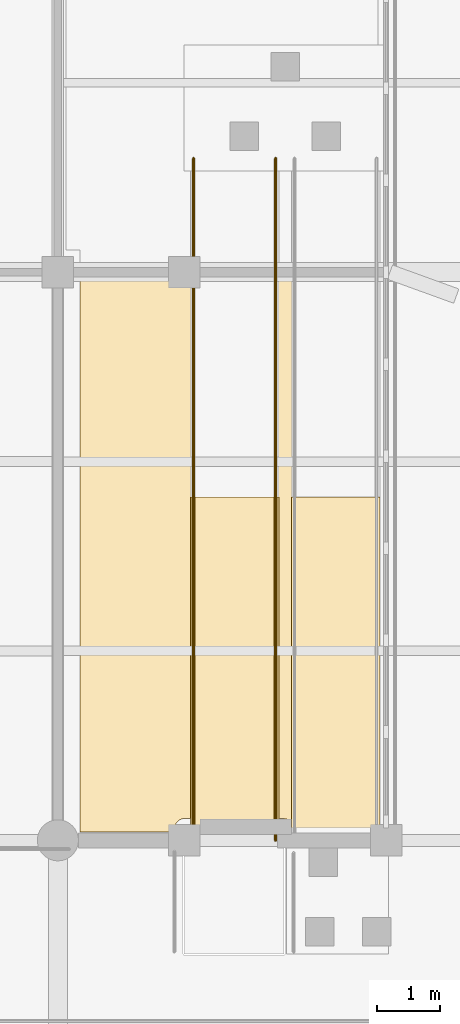
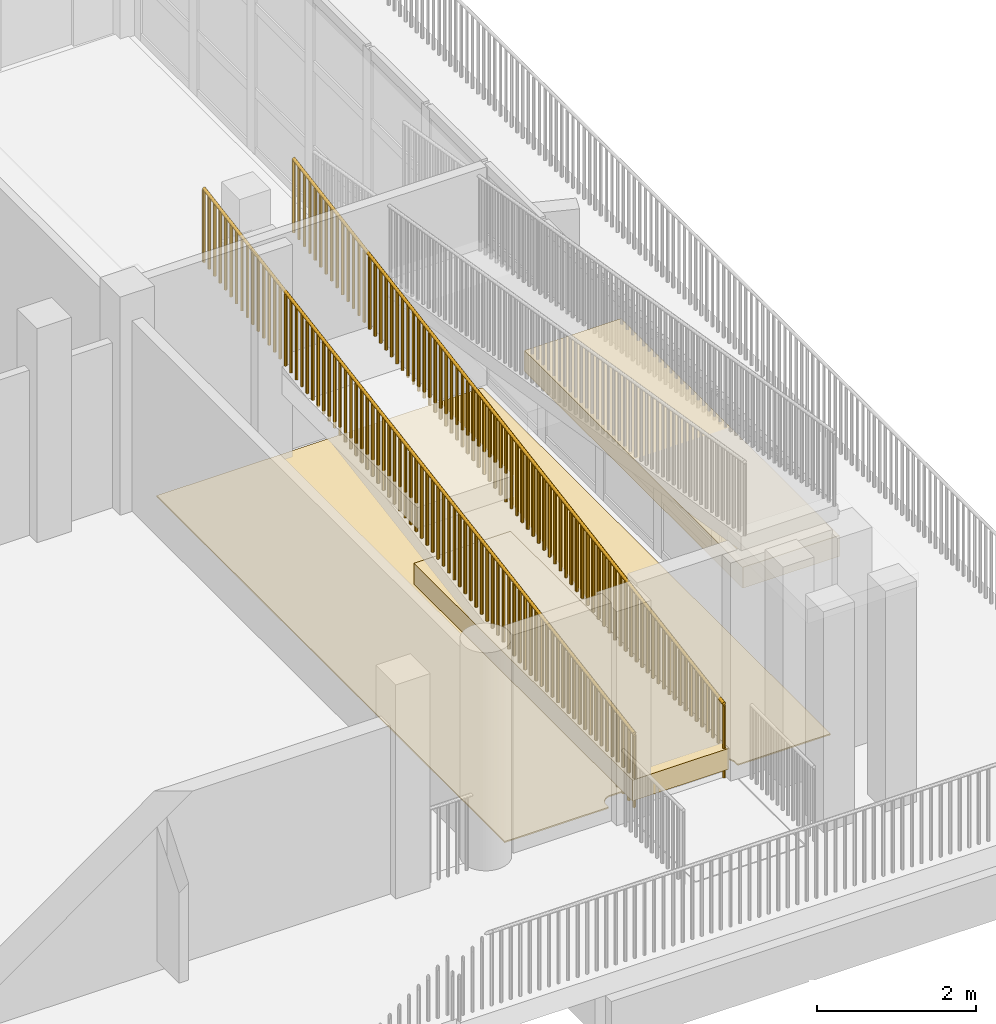
# One storey, part 44 of 51: 3 coverings, 2 railings.
"""IFC4 building model written with IfcOpenShell, lengths in metres."""

from ifc_helpers import new_model, si_unit, direction, frame, origin, origin_2d, place, context, subcontext, project, spatial, polyline, rectangle, circle, outline, extrude, material, layer, layer_set, type_object, element, save


model = new_model("IFC4")

# Units and contexts
model_context = context("Model", 3, precision=1e-05, world=origin(), true_north=direction((0.0, 1.0)))
body_context = subcontext(model_context, "Body", "Model", "MODEL_VIEW")
ifc_project = project(units=[si_unit("LENGTHUNIT", "METRE"), si_unit("AREAUNIT", "SQUARE_METRE"), si_unit("VOLUMEUNIT", "CUBIC_METRE"), si_unit("PLANEANGLEUNIT", "RADIAN"), si_unit("MASSUNIT", "GRAM", prefix="KILO")], contexts=[model_context])

# Site, building, storey
site_placement = place(None, origin())
site = spatial("IfcSite", under=ifc_project, at=site_placement, CompositionType="ELEMENT")
building_placement = place(site_placement, origin())
building = spatial("IfcBuilding", under=site, at=building_placement, Name="Vanh Quang Courtyard School", CompositionType="ELEMENT")
storey_placement = place(building_placement, frame((0.0, 0.0, 11.39990234375)))
storey = spatial("IfcBuildingStorey", under=building, at=storey_placement, Name="L03", CompositionType="ELEMENT", Elevation=11.39990234375)

# Coverings
ifc_material_1 = material(Name="Polished cementitious terrazzo tile", Category="concrete")
ifc_layer_1 = layer(ifc_material_1, 0.02001953125)
ifc_layer_set_1 = layer_set([ifc_layer_1], Name="Polished cementitious terrazzo tile")
covering_type_1 = type_object("IfcCoveringType", Name="COV-FLR-TERRAZZO", PredefinedType="FLOORING", material=ifc_layer_set_1)
covering_placement = place(storey_placement, origin())
element("IfcCovering", 1, at=covering_placement, inside=storey, type_object=covering_type_1, Name="Covering CV-FL1 (L03)", PredefinedType="FLOORING", context=body_context, shape_type="SweptSolid", body=[
    extrude(outline(polyline([(111.35009765625, 32.530029296875), (111.35009765625, 41.27001953125), (116.06005859375, 41.27001953125), (116.06103515625, 41.27001953125), (116.06201171875, 41.269775390625), (116.06298828125, 41.26953125), (116.063720703125, 41.269287109375), (116.064697265625, 41.268798828125), (116.065673828125, 41.268310546875), (116.06640625, 41.267578125), (116.067138671875, 41.26708984375), (116.067626953125, 41.266357421875), (116.068359375, 41.265625), (116.06884765625, 41.2646484375), (116.069091796875, 41.263916015625), (116.069580078125, 41.262939453125), (116.06982421875, 41.261962890625), (116.070068359375, 41.260986328125), (116.070068359375, 41.260009765625), (116.070068359375, 32.5400390625), (116.070068359375, 32.5390625), (116.06982421875, 32.5380859375), (116.069580078125, 32.537109375), (116.069091796875, 32.5361328125), (116.06884765625, 32.535400390625), (116.068359375, 32.534423828125), (116.067626953125, 32.53369140625), (116.067138671875, 32.532958984375), (116.06640625, 32.5322265625), (116.065673828125, 32.53173828125), (116.064697265625, 32.53125), (116.063720703125, 32.53076171875), (116.06298828125, 32.530517578125), (116.06201171875, 32.5302734375), (116.06103515625, 32.530029296875), (116.06005859375, 32.530029296875), (114.735107421875, 32.530029296875), (114.73388671875, 32.530029296875), (114.733154296875, 32.5302734375), (114.732177734375, 32.530517578125), (114.731201171875, 32.53076171875), (114.730224609375, 32.531005859375), (114.7294921875, 32.531494140625), (114.728759765625, 32.5322265625), (114.72802734375, 32.532958984375), (114.727294921875, 32.53369140625), (114.726806640625, 32.5341796875), (114.726318359375, 32.53515625), (114.725830078125, 32.535888671875), (114.7255859375, 32.536865234375), (114.72509765625, 32.537841796875), (114.72509765625, 32.538818359375), (114.72509765625, 32.539794921875), (114.72314453125, 32.621337890625), (114.696533203125, 32.685546875), (114.642333984375, 32.730712890625), (114.578857421875, 32.7451171875), (112.979736328125, 32.743408203125), (112.92529296875, 32.723876953125), (112.8759765625, 32.6748046875), (112.856689453125, 32.62158203125), (112.85498046875, 32.539794921875), (112.85498046875, 32.538818359375), (112.854736328125, 32.537841796875), (112.8544921875, 32.536865234375), (112.854248046875, 32.535888671875), (112.853759765625, 32.53515625), (112.853271484375, 32.5341796875), (112.852783203125, 32.53369140625), (112.85205078125, 32.532958984375), (112.851318359375, 32.5322265625), (112.8505859375, 32.531494140625), (112.849609375, 32.531005859375), (112.848876953125, 32.53076171875), (112.847900390625, 32.530517578125), (112.846923828125, 32.5302734375), (112.845947265625, 32.530029296875), (112.844970703125, 32.530029296875), (111.35009765625, 32.530029296875)])), origin(), (0.0, 0.0, 1.0), 0.02001953125),
])
ifc_material_2 = material(Name="Board-marked precast concrete C40/50", Category="concrete")
ifc_layer_2 = layer(ifc_material_2, 0.239990234375)
ifc_layer_set_2 = layer_set([ifc_layer_2], Name="Board-marked precast concrete C40/50")
covering_type_2 = type_object("IfcCoveringType", Name="COV-HOOD-CONC", PredefinedType="CLADDING", material=ifc_layer_set_2)
for number, where, z_axis, x_axis, name in (
    (2, (113.800048828125, 35.10009765625, 0.1298828125), (0.0, 0.0, 1.0), (1.0, 0.0, 0.0), "Covering CH-01 (L03)"),
    (3, (115.39990234375, 35.10009765625, 2.830078125), (0.0, 0.0, 1.0), (1.0, 0.0, 0.0), "Covering CH-01 (L03)"),
):
    element("IfcCovering", number, at=place(storey_placement, frame(where, z_axis=z_axis, x_axis=x_axis)), inside=storey, type_object=covering_type_2, Name=name, PredefinedType="CLADDING", context=body_context, shape_type="SweptSolid", body=[
        extrude(rectangle(XDim=1.39990234375, YDim=5.47998046875, at=origin_2d()), origin(), (0.0, 0.0, 1.0), 0.320068359375),
    ])

# Railings
ifc_material_3 = material(Name="Galvanised painted steel EN 10025-2 S355J2", Category="steel")
railing_type = type_object("IfcRailingType", Name="RAIL-GUARD-1150", PredefinedType="BALUSTRADE", material=ifc_material_3)
railing_1_placement = place(storey_placement, frame((113.14990234375, 32.39990234375, 0.0)))
element("IfcRailing", 4, at=railing_1_placement, inside=storey, type_object=railing_type, Name="Railing GR-01 (L03)", PredefinedType="BALUSTRADE", context=body_context, shape_type="SweptSolid", body=[
    extrude(circle(Radius=0.02392578125, at=origin_2d()), frame((0.0, 0.0, 1.1259765625), z_axis=(0.0, 0.986393321179, 0.164402603184), x_axis=(-1.0, 0.0, 0.0)), (0.0, 0.0, 1.0), 10.948974609375),
    extrude(circle(Radius=0.02099609375, at=origin_2d()), origin(), (0.0, 0.0, 1.0), 1.101806640625),
    extrude(circle(Radius=0.02099609375, at=origin_2d()), frame((0.0, 0.13671875, 0.022705078125)), (0.0, 0.0, 1.0), 1.101806640625),
    extrude(circle(Radius=0.02099609375, at=origin_2d()), frame((0.0, 0.2734375, 0.045654296875)), (0.0, 0.0, 1.0), 1.101806640625),
    extrude(circle(Radius=0.02099609375, at=origin_2d()), frame((0.0, 0.41015625, 0.068359375)), (0.0, 0.0, 1.0), 1.101806640625),
    extrude(circle(Radius=0.02099609375, at=origin_2d()), frame((0.0, 0.546875, 0.091064453125)), (0.0, 0.0, 1.0), 1.101806640625),
    extrude(circle(Radius=0.02099609375, at=origin_2d()), frame((0.0, 0.68359375, 0.114013671875)), (0.0, 0.0, 1.0), 1.101806640625),
    extrude(circle(Radius=0.02099609375, at=origin_2d()), frame((0.0, 0.8203125, 0.13671875)), (0.0, 0.0, 1.0), 1.101806640625),
    extrude(circle(Radius=0.02099609375, at=origin_2d()), frame((0.0, 0.95703125, 0.159423828125)), (0.0, 0.0, 1.0), 1.101806640625),
    extrude(circle(Radius=0.02099609375, at=origin_2d()), frame((0.0, 1.09375, 0.182373046875)), (0.0, 0.0, 1.0), 1.101806640625),
    extrude(circle(Radius=0.02099609375, at=origin_2d()), frame((0.0, 1.23046875, 0.205078125)), (0.0, 0.0, 1.0), 1.101806640625),
    extrude(circle(Radius=0.02099609375, at=origin_2d()), frame((0.0, 1.3671875, 0.227783203125)), (0.0, 0.0, 1.0), 1.101806640625),
    extrude(circle(Radius=0.02099609375, at=origin_2d()), frame((0.0, 1.50390625, 0.250732421875)), (0.0, 0.0, 1.0), 1.101806640625),
    extrude(circle(Radius=0.02099609375, at=origin_2d()), frame((0.0, 1.640625, 0.2734375)), (0.0, 0.0, 1.0), 1.101806640625),
    extrude(circle(Radius=0.02099609375, at=origin_2d()), frame((0.0, 1.77734375, 0.296142578125)), (0.0, 0.0, 1.0), 1.101806640625),
    extrude(circle(Radius=0.02099609375, at=origin_2d()), frame((0.0, 1.913818359375, 0.319091796875)), (0.0, 0.0, 1.0), 1.101806640625),
    extrude(circle(Radius=0.02099609375, at=origin_2d()), frame((0.0, 2.050537109375, 0.341796875)), (0.0, 0.0, 1.0), 1.101806640625),
    extrude(circle(Radius=0.02099609375, at=origin_2d()), frame((0.0, 2.187255859375, 0.364501953125)), (0.0, 0.0, 1.0), 1.101806640625),
    extrude(circle(Radius=0.02099609375, at=origin_2d()), frame((0.0, 2.323974609375, 0.387451171875)), (0.0, 0.0, 1.0), 1.101806640625),
    extrude(circle(Radius=0.02099609375, at=origin_2d()), frame((0.0, 2.460693359375, 0.41015625)), (0.0, 0.0, 1.0), 1.101806640625),
    extrude(circle(Radius=0.02099609375, at=origin_2d()), frame((0.0, 2.597412109375, 0.432861328125)), (0.0, 0.0, 1.0), 1.101806640625),
    extrude(circle(Radius=0.02099609375, at=origin_2d()), frame((0.0, 2.734130859375, 0.455810546875)), (0.0, 0.0, 1.0), 1.101806640625),
    extrude(circle(Radius=0.02099609375, at=origin_2d()), frame((0.0, 2.870849609375, 0.478515625)), (0.0, 0.0, 1.0), 1.101806640625),
    extrude(circle(Radius=0.02099609375, at=origin_2d()), frame((0.0, 3.007568359375, 0.501220703125)), (0.0, 0.0, 1.0), 1.101806640625),
    extrude(circle(Radius=0.02099609375, at=origin_2d()), frame((0.0, 3.144287109375, 0.524169921875)), (0.0, 0.0, 1.0), 1.101806640625),
    extrude(circle(Radius=0.02099609375, at=origin_2d()), frame((0.0, 3.281005859375, 0.546875)), (0.0, 0.0, 1.0), 1.101806640625),
    extrude(circle(Radius=0.02099609375, at=origin_2d()), frame((0.0, 3.417724609375, 0.569580078125)), (0.0, 0.0, 1.0), 1.101806640625),
    extrude(circle(Radius=0.02099609375, at=origin_2d()), frame((0.0, 3.554443359375, 0.592529296875)), (0.0, 0.0, 1.0), 1.101806640625),
    extrude(circle(Radius=0.02099609375, at=origin_2d()), frame((0.0, 3.691162109375, 0.615234375)), (0.0, 0.0, 1.0), 1.101806640625),
    extrude(circle(Radius=0.02099609375, at=origin_2d()), frame((0.0, 3.827880859375, 0.637939453125)), (0.0, 0.0, 1.0), 1.101806640625),
    extrude(circle(Radius=0.02099609375, at=origin_2d()), frame((0.0, 3.964599609375, 0.660888671875)), (0.0, 0.0, 1.0), 1.101806640625),
    extrude(circle(Radius=0.02099609375, at=origin_2d()), frame((0.0, 4.101318359375, 0.68359375)), (0.0, 0.0, 1.0), 1.101806640625),
    extrude(circle(Radius=0.02099609375, at=origin_2d()), frame((0.0, 4.238037109375, 0.706298828125)), (0.0, 0.0, 1.0), 1.101806640625),
    extrude(circle(Radius=0.02099609375, at=origin_2d()), frame((0.0, 4.374755859375, 0.729248046875)), (0.0, 0.0, 1.0), 1.101806640625),
    extrude(circle(Radius=0.02099609375, at=origin_2d()), frame((0.0, 4.511474609375, 0.751953125)), (0.0, 0.0, 1.0), 1.101806640625),
    extrude(circle(Radius=0.02099609375, at=origin_2d()), frame((0.0, 4.648193359375, 0.774658203125)), (0.0, 0.0, 1.0), 1.101806640625),
    extrude(circle(Radius=0.02099609375, at=origin_2d()), frame((0.0, 4.784912109375, 0.797607421875)), (0.0, 0.0, 1.0), 1.101806640625),
    extrude(circle(Radius=0.02099609375, at=origin_2d()), frame((0.0, 4.921630859375, 0.8203125)), (0.0, 0.0, 1.0), 1.101806640625),
    extrude(circle(Radius=0.02099609375, at=origin_2d()), frame((0.0, 5.058349609375, 0.843017578125)), (0.0, 0.0, 1.0), 1.101806640625),
    extrude(circle(Radius=0.02099609375, at=origin_2d()), frame((0.0, 5.195068359375, 0.865966796875)), (0.0, 0.0, 1.0), 1.101806640625),
    extrude(circle(Radius=0.02099609375, at=origin_2d()), frame((0.0, 5.331787109375, 0.888671875)), (0.0, 0.0, 1.0), 1.101806640625),
    extrude(circle(Radius=0.02099609375, at=origin_2d()), frame((0.0, 5.46826171875, 0.911376953125)), (0.0, 0.0, 1.0), 1.101806640625),
    extrude(circle(Radius=0.02099609375, at=origin_2d()), frame((0.0, 5.60498046875, 0.93408203125)), (0.0, 0.0, 1.0), 1.101806640625),
    extrude(circle(Radius=0.02099609375, at=origin_2d()), frame((0.0, 5.74169921875, 0.95703125)), (0.0, 0.0, 1.0), 1.101806640625),
    extrude(circle(Radius=0.02099609375, at=origin_2d()), frame((0.0, 5.87841796875, 0.979736328125)), (0.0, 0.0, 1.0), 1.101806640625),
    extrude(circle(Radius=0.02099609375, at=origin_2d()), frame((0.0, 6.01513671875, 1.00244140625)), (0.0, 0.0, 1.0), 1.101806640625),
    extrude(circle(Radius=0.02099609375, at=origin_2d()), frame((0.0, 6.15185546875, 1.025390625)), (0.0, 0.0, 1.0), 1.101806640625),
    extrude(circle(Radius=0.02099609375, at=origin_2d()), frame((0.0, 6.28857421875, 1.048095703125)), (0.0, 0.0, 1.0), 1.101806640625),
    extrude(circle(Radius=0.02099609375, at=origin_2d()), frame((0.0, 6.42529296875, 1.07080078125)), (0.0, 0.0, 1.0), 1.101806640625),
    extrude(circle(Radius=0.02099609375, at=origin_2d()), frame((0.0, 6.56201171875, 1.09375)), (0.0, 0.0, 1.0), 1.101806640625),
    extrude(circle(Radius=0.02099609375, at=origin_2d()), frame((0.0, 6.69873046875, 1.116455078125)), (0.0, 0.0, 1.0), 1.101806640625),
    extrude(circle(Radius=0.02099609375, at=origin_2d()), frame((0.0, 6.83544921875, 1.13916015625)), (0.0, 0.0, 1.0), 1.101806640625),
    extrude(circle(Radius=0.02099609375, at=origin_2d()), frame((0.0, 6.97216796875, 1.162109375)), (0.0, 0.0, 1.0), 1.101806640625),
    extrude(circle(Radius=0.02099609375, at=origin_2d()), frame((0.0, 7.10888671875, 1.184814453125)), (0.0, 0.0, 1.0), 1.101806640625),
    extrude(circle(Radius=0.02099609375, at=origin_2d()), frame((0.0, 7.24560546875, 1.20751953125)), (0.0, 0.0, 1.0), 1.101806640625),
    extrude(circle(Radius=0.02099609375, at=origin_2d()), frame((0.0, 7.38232421875, 1.23046875)), (0.0, 0.0, 1.0), 1.101806640625),
    extrude(circle(Radius=0.02099609375, at=origin_2d()), frame((0.0, 7.51904296875, 1.253173828125)), (0.0, 0.0, 1.0), 1.101806640625),
    extrude(circle(Radius=0.02099609375, at=origin_2d()), frame((0.0, 7.65576171875, 1.27587890625)), (0.0, 0.0, 1.0), 1.101806640625),
    extrude(circle(Radius=0.02099609375, at=origin_2d()), frame((0.0, 7.79248046875, 1.298828125)), (0.0, 0.0, 1.0), 1.101806640625),
    extrude(circle(Radius=0.02099609375, at=origin_2d()), frame((0.0, 7.92919921875, 1.321533203125)), (0.0, 0.0, 1.0), 1.101806640625),
    extrude(circle(Radius=0.02099609375, at=origin_2d()), frame((0.0, 8.06591796875, 1.34423828125)), (0.0, 0.0, 1.0), 1.101806640625),
    extrude(circle(Radius=0.02099609375, at=origin_2d()), frame((0.0, 8.20263671875, 1.3671875)), (0.0, 0.0, 1.0), 1.101806640625),
    extrude(circle(Radius=0.02099609375, at=origin_2d()), frame((0.0, 8.33935546875, 1.389892578125)), (0.0, 0.0, 1.0), 1.101806640625),
    extrude(circle(Radius=0.02099609375, at=origin_2d()), frame((0.0, 8.47607421875, 1.41259765625)), (0.0, 0.0, 1.0), 1.101806640625),
    extrude(circle(Radius=0.02099609375, at=origin_2d()), frame((0.0, 8.61279296875, 1.435546875)), (0.0, 0.0, 1.0), 1.101806640625),
    extrude(circle(Radius=0.02099609375, at=origin_2d()), frame((0.0, 8.74951171875, 1.458251953125)), (0.0, 0.0, 1.0), 1.101806640625),
    extrude(circle(Radius=0.02099609375, at=origin_2d()), frame((0.0, 8.88623046875, 1.48095703125)), (0.0, 0.0, 1.0), 1.101806640625),
    extrude(circle(Radius=0.02099609375, at=origin_2d()), frame((0.0, 9.022705078125, 1.50390625)), (0.0, 0.0, 1.0), 1.101806640625),
    extrude(circle(Radius=0.02099609375, at=origin_2d()), frame((0.0, 9.159423828125, 1.526611328125)), (0.0, 0.0, 1.0), 1.101806640625),
    extrude(circle(Radius=0.02099609375, at=origin_2d()), frame((0.0, 9.296142578125, 1.54931640625)), (0.0, 0.0, 1.0), 1.101806640625),
    extrude(circle(Radius=0.02099609375, at=origin_2d()), frame((0.0, 9.432861328125, 1.572265625)), (0.0, 0.0, 1.0), 1.101806640625),
    extrude(circle(Radius=0.02099609375, at=origin_2d()), frame((0.0, 9.569580078125, 1.594970703125)), (0.0, 0.0, 1.0), 1.101806640625),
    extrude(circle(Radius=0.02099609375, at=origin_2d()), frame((0.0, 9.706298828125, 1.61767578125)), (0.0, 0.0, 1.0), 1.101806640625),
    extrude(circle(Radius=0.02099609375, at=origin_2d()), frame((0.0, 9.843017578125, 1.640625)), (0.0, 0.0, 1.0), 1.101806640625),
    extrude(circle(Radius=0.02099609375, at=origin_2d()), frame((0.0, 9.979736328125, 1.663330078125)), (0.0, 0.0, 1.0), 1.101806640625),
    extrude(circle(Radius=0.02099609375, at=origin_2d()), frame((0.0, 10.116455078125, 1.68603515625)), (0.0, 0.0, 1.0), 1.101806640625),
    extrude(circle(Radius=0.02099609375, at=origin_2d()), frame((0.0, 10.253173828125, 1.708984375)), (0.0, 0.0, 1.0), 1.101806640625),
    extrude(circle(Radius=0.02099609375, at=origin_2d()), frame((0.0, 10.389892578125, 1.731689453125)), (0.0, 0.0, 1.0), 1.101806640625),
    extrude(circle(Radius=0.02099609375, at=origin_2d()), frame((0.0, 10.526611328125, 1.75439453125)), (0.0, 0.0, 1.0), 1.101806640625),
    extrude(circle(Radius=0.02099609375, at=origin_2d()), frame((0.0, 10.663330078125, 1.77734375)), (0.0, 0.0, 1.0), 1.101806640625),
    extrude(circle(Radius=0.02099609375, at=origin_2d()), frame((0.0, 10.800048828125, 1.800048828125)), (0.0, 0.0, 1.0), 1.101806640625),
])
railing_2_placement = place(storey_placement, frame((114.449951171875, 32.39990234375, 0.0)))
element("IfcRailing", 5, at=railing_2_placement, inside=storey, type_object=railing_type, Name="Railing GR-01 (L03)", PredefinedType="BALUSTRADE", context=body_context, shape_type="SweptSolid", body=[
    extrude(circle(Radius=0.02392578125, at=origin_2d()), frame((0.0, 0.0, 1.1259765625), z_axis=(0.0, 0.986393321179, 0.164402603184), x_axis=(-1.0, 0.0, 0.0)), (0.0, 0.0, 1.0), 10.948974609375),
    extrude(circle(Radius=0.02099609375, at=origin_2d()), origin(), (0.0, 0.0, 1.0), 1.101806640625),
    extrude(circle(Radius=0.02099609375, at=origin_2d()), frame((0.0, 0.13671875, 0.022705078125)), (0.0, 0.0, 1.0), 1.101806640625),
    extrude(circle(Radius=0.02099609375, at=origin_2d()), frame((0.0, 0.2734375, 0.045654296875)), (0.0, 0.0, 1.0), 1.101806640625),
    extrude(circle(Radius=0.02099609375, at=origin_2d()), frame((0.0, 0.41015625, 0.068359375)), (0.0, 0.0, 1.0), 1.101806640625),
    extrude(circle(Radius=0.02099609375, at=origin_2d()), frame((0.0, 0.546875, 0.091064453125)), (0.0, 0.0, 1.0), 1.101806640625),
    extrude(circle(Radius=0.02099609375, at=origin_2d()), frame((0.0, 0.68359375, 0.114013671875)), (0.0, 0.0, 1.0), 1.101806640625),
    extrude(circle(Radius=0.02099609375, at=origin_2d()), frame((0.0, 0.8203125, 0.13671875)), (0.0, 0.0, 1.0), 1.101806640625),
    extrude(circle(Radius=0.02099609375, at=origin_2d()), frame((0.0, 0.95703125, 0.159423828125)), (0.0, 0.0, 1.0), 1.101806640625),
    extrude(circle(Radius=0.02099609375, at=origin_2d()), frame((0.0, 1.09375, 0.182373046875)), (0.0, 0.0, 1.0), 1.101806640625),
    extrude(circle(Radius=0.02099609375, at=origin_2d()), frame((0.0, 1.23046875, 0.205078125)), (0.0, 0.0, 1.0), 1.101806640625),
    extrude(circle(Radius=0.02099609375, at=origin_2d()), frame((0.0, 1.3671875, 0.227783203125)), (0.0, 0.0, 1.0), 1.101806640625),
    extrude(circle(Radius=0.02099609375, at=origin_2d()), frame((0.0, 1.50390625, 0.250732421875)), (0.0, 0.0, 1.0), 1.101806640625),
    extrude(circle(Radius=0.02099609375, at=origin_2d()), frame((0.0, 1.640625, 0.2734375)), (0.0, 0.0, 1.0), 1.101806640625),
    extrude(circle(Radius=0.02099609375, at=origin_2d()), frame((0.0, 1.77734375, 0.296142578125)), (0.0, 0.0, 1.0), 1.101806640625),
    extrude(circle(Radius=0.02099609375, at=origin_2d()), frame((0.0, 1.913818359375, 0.319091796875)), (0.0, 0.0, 1.0), 1.101806640625),
    extrude(circle(Radius=0.02099609375, at=origin_2d()), frame((0.0, 2.050537109375, 0.341796875)), (0.0, 0.0, 1.0), 1.101806640625),
    extrude(circle(Radius=0.02099609375, at=origin_2d()), frame((0.0, 2.187255859375, 0.364501953125)), (0.0, 0.0, 1.0), 1.101806640625),
    extrude(circle(Radius=0.02099609375, at=origin_2d()), frame((0.0, 2.323974609375, 0.387451171875)), (0.0, 0.0, 1.0), 1.101806640625),
    extrude(circle(Radius=0.02099609375, at=origin_2d()), frame((0.0, 2.460693359375, 0.41015625)), (0.0, 0.0, 1.0), 1.101806640625),
    extrude(circle(Radius=0.02099609375, at=origin_2d()), frame((0.0, 2.597412109375, 0.432861328125)), (0.0, 0.0, 1.0), 1.101806640625),
    extrude(circle(Radius=0.02099609375, at=origin_2d()), frame((0.0, 2.734130859375, 0.455810546875)), (0.0, 0.0, 1.0), 1.101806640625),
    extrude(circle(Radius=0.02099609375, at=origin_2d()), frame((0.0, 2.870849609375, 0.478515625)), (0.0, 0.0, 1.0), 1.101806640625),
    extrude(circle(Radius=0.02099609375, at=origin_2d()), frame((0.0, 3.007568359375, 0.501220703125)), (0.0, 0.0, 1.0), 1.101806640625),
    extrude(circle(Radius=0.02099609375, at=origin_2d()), frame((0.0, 3.144287109375, 0.524169921875)), (0.0, 0.0, 1.0), 1.101806640625),
    extrude(circle(Radius=0.02099609375, at=origin_2d()), frame((0.0, 3.281005859375, 0.546875)), (0.0, 0.0, 1.0), 1.101806640625),
    extrude(circle(Radius=0.02099609375, at=origin_2d()), frame((0.0, 3.417724609375, 0.569580078125)), (0.0, 0.0, 1.0), 1.101806640625),
    extrude(circle(Radius=0.02099609375, at=origin_2d()), frame((0.0, 3.554443359375, 0.592529296875)), (0.0, 0.0, 1.0), 1.101806640625),
    extrude(circle(Radius=0.02099609375, at=origin_2d()), frame((0.0, 3.691162109375, 0.615234375)), (0.0, 0.0, 1.0), 1.101806640625),
    extrude(circle(Radius=0.02099609375, at=origin_2d()), frame((0.0, 3.827880859375, 0.637939453125)), (0.0, 0.0, 1.0), 1.101806640625),
    extrude(circle(Radius=0.02099609375, at=origin_2d()), frame((0.0, 3.964599609375, 0.660888671875)), (0.0, 0.0, 1.0), 1.101806640625),
    extrude(circle(Radius=0.02099609375, at=origin_2d()), frame((0.0, 4.101318359375, 0.68359375)), (0.0, 0.0, 1.0), 1.101806640625),
    extrude(circle(Radius=0.02099609375, at=origin_2d()), frame((0.0, 4.238037109375, 0.706298828125)), (0.0, 0.0, 1.0), 1.101806640625),
    extrude(circle(Radius=0.02099609375, at=origin_2d()), frame((0.0, 4.374755859375, 0.729248046875)), (0.0, 0.0, 1.0), 1.101806640625),
    extrude(circle(Radius=0.02099609375, at=origin_2d()), frame((0.0, 4.511474609375, 0.751953125)), (0.0, 0.0, 1.0), 1.101806640625),
    extrude(circle(Radius=0.02099609375, at=origin_2d()), frame((0.0, 4.648193359375, 0.774658203125)), (0.0, 0.0, 1.0), 1.101806640625),
    extrude(circle(Radius=0.02099609375, at=origin_2d()), frame((0.0, 4.784912109375, 0.797607421875)), (0.0, 0.0, 1.0), 1.101806640625),
    extrude(circle(Radius=0.02099609375, at=origin_2d()), frame((0.0, 4.921630859375, 0.8203125)), (0.0, 0.0, 1.0), 1.101806640625),
    extrude(circle(Radius=0.02099609375, at=origin_2d()), frame((0.0, 5.058349609375, 0.843017578125)), (0.0, 0.0, 1.0), 1.101806640625),
    extrude(circle(Radius=0.02099609375, at=origin_2d()), frame((0.0, 5.195068359375, 0.865966796875)), (0.0, 0.0, 1.0), 1.101806640625),
    extrude(circle(Radius=0.02099609375, at=origin_2d()), frame((0.0, 5.331787109375, 0.888671875)), (0.0, 0.0, 1.0), 1.101806640625),
    extrude(circle(Radius=0.02099609375, at=origin_2d()), frame((0.0, 5.46826171875, 0.911376953125)), (0.0, 0.0, 1.0), 1.101806640625),
    extrude(circle(Radius=0.02099609375, at=origin_2d()), frame((0.0, 5.60498046875, 0.93408203125)), (0.0, 0.0, 1.0), 1.101806640625),
    extrude(circle(Radius=0.02099609375, at=origin_2d()), frame((0.0, 5.74169921875, 0.95703125)), (0.0, 0.0, 1.0), 1.101806640625),
    extrude(circle(Radius=0.02099609375, at=origin_2d()), frame((0.0, 5.87841796875, 0.979736328125)), (0.0, 0.0, 1.0), 1.101806640625),
    extrude(circle(Radius=0.02099609375, at=origin_2d()), frame((0.0, 6.01513671875, 1.00244140625)), (0.0, 0.0, 1.0), 1.101806640625),
    extrude(circle(Radius=0.02099609375, at=origin_2d()), frame((0.0, 6.15185546875, 1.025390625)), (0.0, 0.0, 1.0), 1.101806640625),
    extrude(circle(Radius=0.02099609375, at=origin_2d()), frame((0.0, 6.28857421875, 1.048095703125)), (0.0, 0.0, 1.0), 1.101806640625),
    extrude(circle(Radius=0.02099609375, at=origin_2d()), frame((0.0, 6.42529296875, 1.07080078125)), (0.0, 0.0, 1.0), 1.101806640625),
    extrude(circle(Radius=0.02099609375, at=origin_2d()), frame((0.0, 6.56201171875, 1.09375)), (0.0, 0.0, 1.0), 1.101806640625),
    extrude(circle(Radius=0.02099609375, at=origin_2d()), frame((0.0, 6.69873046875, 1.116455078125)), (0.0, 0.0, 1.0), 1.101806640625),
    extrude(circle(Radius=0.02099609375, at=origin_2d()), frame((0.0, 6.83544921875, 1.13916015625)), (0.0, 0.0, 1.0), 1.101806640625),
    extrude(circle(Radius=0.02099609375, at=origin_2d()), frame((0.0, 6.97216796875, 1.162109375)), (0.0, 0.0, 1.0), 1.101806640625),
    extrude(circle(Radius=0.02099609375, at=origin_2d()), frame((0.0, 7.10888671875, 1.184814453125)), (0.0, 0.0, 1.0), 1.101806640625),
    extrude(circle(Radius=0.02099609375, at=origin_2d()), frame((0.0, 7.24560546875, 1.20751953125)), (0.0, 0.0, 1.0), 1.101806640625),
    extrude(circle(Radius=0.02099609375, at=origin_2d()), frame((0.0, 7.38232421875, 1.23046875)), (0.0, 0.0, 1.0), 1.101806640625),
    extrude(circle(Radius=0.02099609375, at=origin_2d()), frame((0.0, 7.51904296875, 1.253173828125)), (0.0, 0.0, 1.0), 1.101806640625),
    extrude(circle(Radius=0.02099609375, at=origin_2d()), frame((0.0, 7.65576171875, 1.27587890625)), (0.0, 0.0, 1.0), 1.101806640625),
    extrude(circle(Radius=0.02099609375, at=origin_2d()), frame((0.0, 7.79248046875, 1.298828125)), (0.0, 0.0, 1.0), 1.101806640625),
    extrude(circle(Radius=0.02099609375, at=origin_2d()), frame((0.0, 7.92919921875, 1.321533203125)), (0.0, 0.0, 1.0), 1.101806640625),
    extrude(circle(Radius=0.02099609375, at=origin_2d()), frame((0.0, 8.06591796875, 1.34423828125)), (0.0, 0.0, 1.0), 1.101806640625),
    extrude(circle(Radius=0.02099609375, at=origin_2d()), frame((0.0, 8.20263671875, 1.3671875)), (0.0, 0.0, 1.0), 1.101806640625),
    extrude(circle(Radius=0.02099609375, at=origin_2d()), frame((0.0, 8.33935546875, 1.389892578125)), (0.0, 0.0, 1.0), 1.101806640625),
    extrude(circle(Radius=0.02099609375, at=origin_2d()), frame((0.0, 8.47607421875, 1.41259765625)), (0.0, 0.0, 1.0), 1.101806640625),
    extrude(circle(Radius=0.02099609375, at=origin_2d()), frame((0.0, 8.61279296875, 1.435546875)), (0.0, 0.0, 1.0), 1.101806640625),
    extrude(circle(Radius=0.02099609375, at=origin_2d()), frame((0.0, 8.74951171875, 1.458251953125)), (0.0, 0.0, 1.0), 1.101806640625),
    extrude(circle(Radius=0.02099609375, at=origin_2d()), frame((0.0, 8.88623046875, 1.48095703125)), (0.0, 0.0, 1.0), 1.101806640625),
    extrude(circle(Radius=0.02099609375, at=origin_2d()), frame((0.0, 9.022705078125, 1.50390625)), (0.0, 0.0, 1.0), 1.101806640625),
    extrude(circle(Radius=0.02099609375, at=origin_2d()), frame((0.0, 9.159423828125, 1.526611328125)), (0.0, 0.0, 1.0), 1.101806640625),
    extrude(circle(Radius=0.02099609375, at=origin_2d()), frame((0.0, 9.296142578125, 1.54931640625)), (0.0, 0.0, 1.0), 1.101806640625),
    extrude(circle(Radius=0.02099609375, at=origin_2d()), frame((0.0, 9.432861328125, 1.572265625)), (0.0, 0.0, 1.0), 1.101806640625),
    extrude(circle(Radius=0.02099609375, at=origin_2d()), frame((0.0, 9.569580078125, 1.594970703125)), (0.0, 0.0, 1.0), 1.101806640625),
    extrude(circle(Radius=0.02099609375, at=origin_2d()), frame((0.0, 9.706298828125, 1.61767578125)), (0.0, 0.0, 1.0), 1.101806640625),
    extrude(circle(Radius=0.02099609375, at=origin_2d()), frame((0.0, 9.843017578125, 1.640625)), (0.0, 0.0, 1.0), 1.101806640625),
    extrude(circle(Radius=0.02099609375, at=origin_2d()), frame((0.0, 9.979736328125, 1.663330078125)), (0.0, 0.0, 1.0), 1.101806640625),
    extrude(circle(Radius=0.02099609375, at=origin_2d()), frame((0.0, 10.116455078125, 1.68603515625)), (0.0, 0.0, 1.0), 1.101806640625),
    extrude(circle(Radius=0.02099609375, at=origin_2d()), frame((0.0, 10.253173828125, 1.708984375)), (0.0, 0.0, 1.0), 1.101806640625),
    extrude(circle(Radius=0.02099609375, at=origin_2d()), frame((0.0, 10.389892578125, 1.731689453125)), (0.0, 0.0, 1.0), 1.101806640625),
    extrude(circle(Radius=0.02099609375, at=origin_2d()), frame((0.0, 10.526611328125, 1.75439453125)), (0.0, 0.0, 1.0), 1.101806640625),
    extrude(circle(Radius=0.02099609375, at=origin_2d()), frame((0.0, 10.663330078125, 1.77734375)), (0.0, 0.0, 1.0), 1.101806640625),
    extrude(circle(Radius=0.02099609375, at=origin_2d()), frame((0.0, 10.800048828125, 1.800048828125)), (0.0, 0.0, 1.0), 1.101806640625),
])

save(model, "model.ifc")
